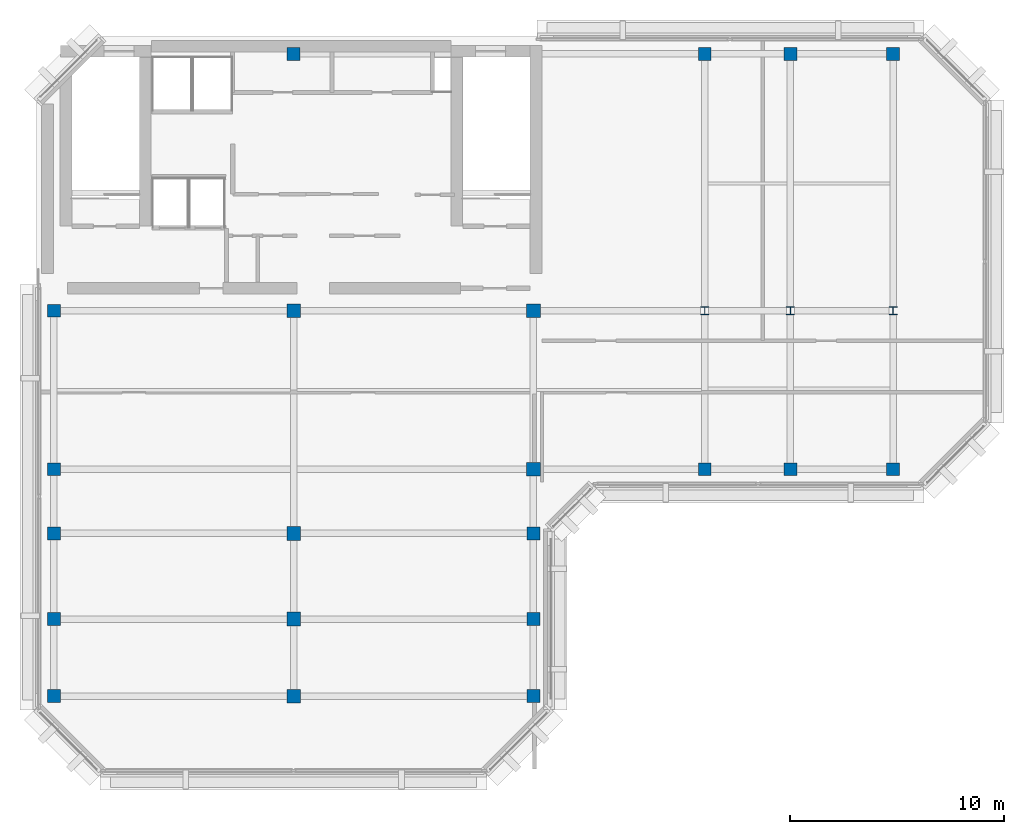
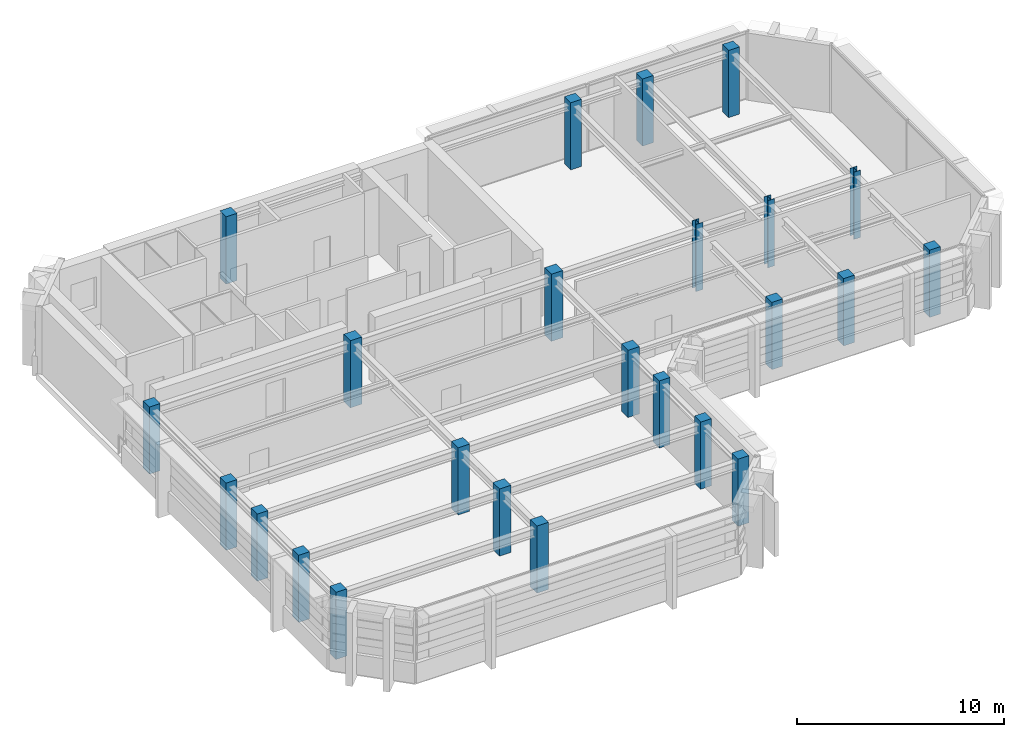
# One storey, part 1 of 7: 24 columns.
"""IFC4 building model written with IfcOpenShell, lengths in metres."""

from ifc_helpers import new_model, si_unit, direction, frame, origin, origin_2d, place, context, subcontext, project, spatial, rectangle, i_section, extrude, material, material_profile, profile_set, type_object, element, save


model = new_model("IFC4")

# Units and contexts
model_context = context("Model", 3, precision=1e-05, world=origin(), true_north=direction((0.0, 1.0)))
body_context = subcontext(model_context, "Body", "Model", "MODEL_VIEW")
ifc_project = project(units=[si_unit("LENGTHUNIT", "METRE"), si_unit("AREAUNIT", "SQUARE_METRE"), si_unit("VOLUMEUNIT", "CUBIC_METRE"), si_unit("PLANEANGLEUNIT", "RADIAN"), si_unit("MASSUNIT", "GRAM", prefix="KILO")], contexts=[model_context])

# Site, building, storey
site_placement = place(None, origin())
site = spatial("IfcSite", under=ifc_project, at=site_placement, CompositionType="ELEMENT")
building_placement = place(site_placement, origin())
building = spatial("IfcBuilding", under=site, at=building_placement, Name="Kefirva Bronze Tower", CompositionType="ELEMENT")
storey_placement = place(building_placement, frame((0.0, 0.0, 369.929931640625)))
storey = spatial("IfcBuildingStorey", under=building, at=storey_placement, Name="L90", CompositionType="ELEMENT", Elevation=369.929931640625)

# Columns
ifc_material_1 = material(Name="Concrete C50/60", Category="concrete")
ifc_material_profile_1 = material_profile(ifc_material_1, rectangle(XDim=0.60009765625, YDim=0.60009765625, at=origin_2d()), Name="RC 600x600")
ifc_profile_set_1 = profile_set([ifc_material_profile_1], Name="Concrete C50/60")
column_type_1 = type_object("IfcColumnType", Name="RC Column 600x600 Ext", PredefinedType="COLUMN", material=ifc_profile_set_1)
for number, where, z_axis, x_axis, name in (
    (1, (0.800048828125, 15.199951171875, 0.0), (0.0, 0.0, 1.0), (1.0, 0.0, 0.0), "L90 Column C008_152"),
    (2, (0.800048828125, 18.800048828125, 0.0), (0.0, 0.0, 1.0), (1.0, 0.0, 0.0), "L90 Column C008_188"),
    (3, (0.800048828125, 22.800048828125, 0.0), (0.0, 0.0, 1.0), (1.0, 0.0, 0.0), "L90 Column C008_228"),
    (4, (0.800048828125, 25.800048828125, 0.0), (0.0, 0.0, 1.0), (1.0, 0.0, 0.0), "L90 Column C008_258"),
    (5, (0.800048828125, 33.199951171875, 0.0), (0.0, 0.0, 1.0), (1.0, 0.0, 0.0), "L90 Column C008_332"),
    (6, (12.0, 45.199951171875, 0.0), (0.0, 0.0, 1.0), (1.0, 0.0, 0.0), "L90 Column C120_452"),
    (7, (23.199951171875, 15.199951171875, 0.0), (0.0, 0.0, 1.0), (1.0, 0.0, 0.0), "L90 Column C232_152"),
    (8, (23.199951171875, 18.800048828125, 0.0), (0.0, 0.0, 1.0), (1.0, 0.0, 0.0), "L90 Column C232_188"),
    (9, (23.199951171875, 22.800048828125, 0.0), (0.0, 0.0, 1.0), (1.0, 0.0, 0.0), "L90 Column C232_228"),
    (10, (31.199951171875, 25.800048828125, 0.0), (0.0, 0.0, 1.0), (1.0, 0.0, 0.0), "L90 Column C312_258"),
    (11, (31.199951171875, 45.199951171875, 0.0), (0.0, 0.0, 1.0), (1.0, 0.0, 0.0), "L90 Column C312_452"),
    (12, (35.199951171875, 25.800048828125, 0.0), (0.0, 0.0, 1.0), (1.0, 0.0, 0.0), "L90 Column C352_258"),
    (13, (35.199951171875, 45.199951171875, 0.0), (0.0, 0.0, 1.0), (1.0, 0.0, 0.0), "L90 Column C352_452"),
    (14, (40.0, 25.800048828125, 0.0), (0.0, 0.0, 1.0), (1.0, 0.0, 0.0), "L90 Column C400_258"),
    (15, (40.0, 45.199951171875, 0.0), (0.0, 0.0, 1.0), (1.0, 0.0, 0.0), "L90 Column C400_452"),
):
    element("IfcColumn", number, at=place(storey_placement, frame(where, z_axis=z_axis, x_axis=x_axis)), inside=storey, type_object=column_type_1, Name=name, PredefinedType="COLUMN", context=body_context, shape_type="SweptSolid", body=[
        extrude(rectangle(XDim=0.60009765625, YDim=0.60009765625, at=origin_2d()), origin(), (0.0, 0.0, 1.0), 3.9599609375),
    ])
ifc_material_profile_2 = material_profile(ifc_material_1, rectangle(XDim=0.639892578125, YDim=0.639892578125, at=origin_2d()), Name="RC 640x640")
ifc_profile_set_2 = profile_set([ifc_material_profile_2], Name="Concrete C50/60")
column_type_2 = type_object("IfcColumnType", Name="RC Column 640x640 Int", PredefinedType="COLUMN", material=ifc_profile_set_2)
for number, where, z_axis, x_axis, name in (
    (16, (12.0, 15.199951171875, 0.0), (0.0, 0.0, 1.0), (1.0, 0.0, 0.0), "L90 Column C120_152"),
    (17, (12.0, 18.800048828125, 0.0), (0.0, 0.0, 1.0), (1.0, 0.0, 0.0), "L90 Column C120_188"),
    (18, (12.0, 22.800048828125, 0.0), (0.0, 0.0, 1.0), (1.0, 0.0, 0.0), "L90 Column C120_228"),
    (19, (12.0, 33.199951171875, 0.0), (0.0, 0.0, 1.0), (1.0, 0.0, 0.0), "L90 Column C120_332"),
    (20, (23.199951171875, 25.800048828125, 0.0), (0.0, 0.0, 1.0), (1.0, 0.0, 0.0), "L90 Column C232_258"),
    (21, (23.199951171875, 33.199951171875, 0.0), (0.0, 0.0, 1.0), (1.0, 0.0, 0.0), "L90 Column C232_332"),
):
    element("IfcColumn", number, at=place(storey_placement, frame(where, z_axis=z_axis, x_axis=x_axis)), inside=storey, type_object=column_type_2, Name=name, PredefinedType="COLUMN", context=body_context, shape_type="SweptSolid", body=[
        extrude(rectangle(XDim=0.639892578125, YDim=0.639892578125, at=origin_2d()), origin(), (0.0, 0.0, 1.0), 3.9599609375),
    ])
ifc_material_2 = material(Name="Steel S460", Category="steel")
ifc_material_profile_3 = material_profile(ifc_material_2, i_section(OverallWidth=0.376953125, OverallDepth=0.386962890625, WebThickness=0.01611328125, FlangeThickness=0.027099609375, at=origin_2d()), Name="HD 360x262")
ifc_profile_set_3 = profile_set([ifc_material_profile_3], Name="Steel S460")
column_type_3 = type_object("IfcColumnType", Name="Steel Column HD 360x262", PredefinedType="COLUMN", material=ifc_profile_set_3)
for number, where, z_axis, x_axis, name in (
    (22, (31.199951171875, 33.199951171875, 0.0), (0.0, 0.0, 1.0), (1.0, 0.0, 0.0), "L90 Column C312_332"),
    (23, (35.199951171875, 33.199951171875, 0.0), (0.0, 0.0, 1.0), (1.0, 0.0, 0.0), "L90 Column C352_332"),
    (24, (40.0, 33.199951171875, 0.0), (0.0, 0.0, 1.0), (1.0, 0.0, 0.0), "L90 Column C400_332"),
):
    element("IfcColumn", number, at=place(storey_placement, frame(where, z_axis=z_axis, x_axis=x_axis)), inside=storey, type_object=column_type_3, Name=name, PredefinedType="COLUMN", context=body_context, shape_type="SweptSolid", body=[
        extrude(i_section(OverallWidth=0.376953125, OverallDepth=0.386962890625, WebThickness=0.01611328125, FlangeThickness=0.027099609375, at=origin_2d()), origin(), (0.0, 0.0, 1.0), 3.9599609375),
    ])

save(model, "model.ifc")
